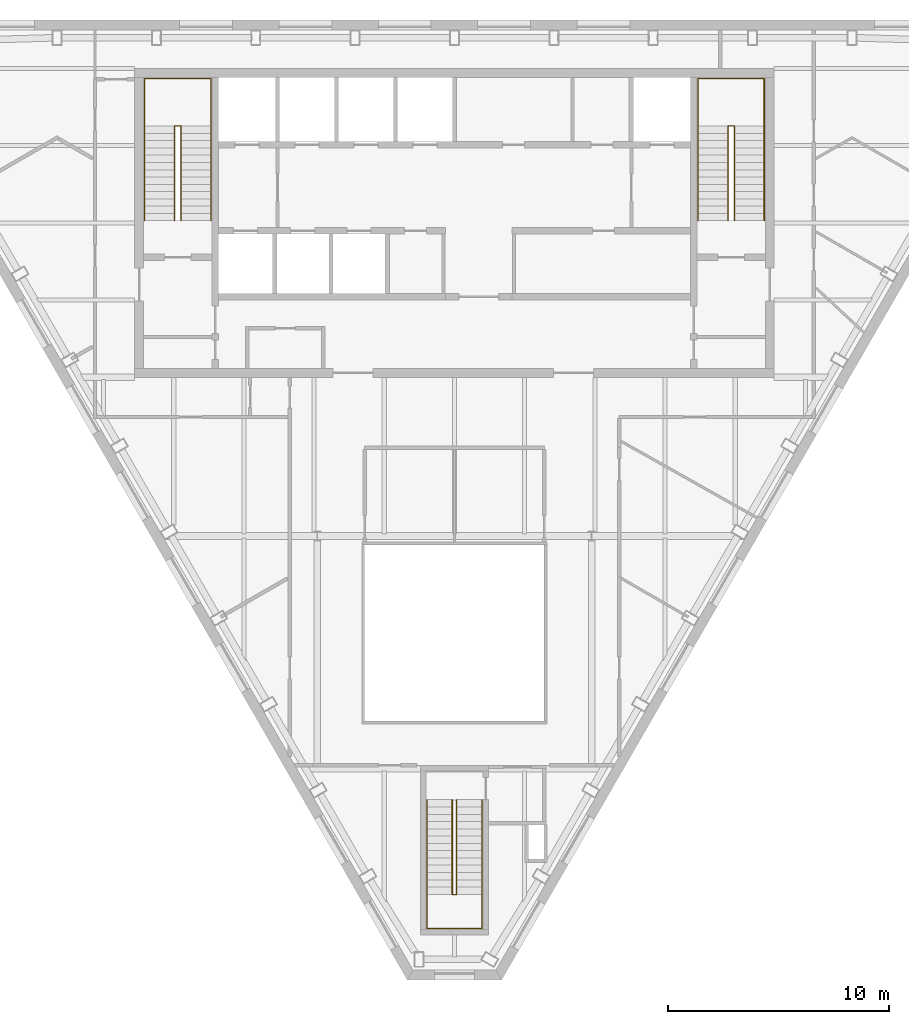
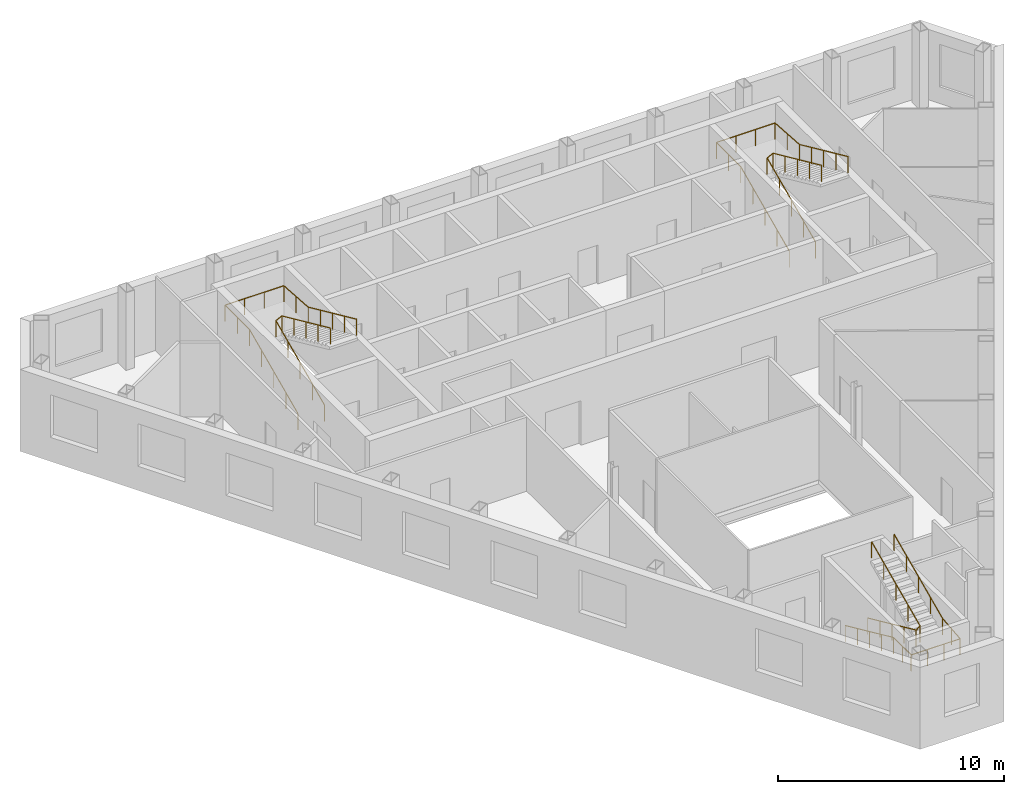
# One storey, part 9 of 9: 6 railings.
"""IFC4 building model written with IfcOpenShell, lengths in metres."""

import ifcopenshell
import ifcopenshell.guid

model = None  # the IFC model being written
_history = None  # IfcOwnerHistory: only IFC2X3 demands one
_inside = {}  # id of a spatial element -> (the spatial element, [elements in it])
_under = {}  # id of a project, library or spatial element -> (it, [spatial elements below it])
_declared = {}  # id of a project -> (the project, [libraries it declares])
_typed = {}  # id of a type object -> (the type object, [elements of that type])
_made_of = {}  # id of a material, layer set ... -> (it, [elements and type objects made of it])


def new_model(schema):
    """Start an empty IFC model of exactly this schema.

    Asked for "IFC4X3", IfcOpenShell would pick the latest addendum, in which some entities
    have other attributes; the version numbers below select the first issue.
    IFC2X3 requires an IfcOwnerHistory on every rooted entity: one is made here for all.
    """
    global model, _history
    if schema == "IFC4X3":
        model = ifcopenshell.file(schema_version=(4, 3, 0, 0))
    else:
        model = ifcopenshell.file(schema=schema)
    _inside.clear()
    _under.clear()
    _declared.clear()
    _typed.clear()
    _made_of.clear()
    _history = None
    if model.schema == "IFC2X3":
        org = make("IfcOrganization", Name="unknown")
        user = make(
            "IfcPersonAndOrganization",
            ThePerson=make("IfcPerson", FamilyName="unknown"),
            TheOrganization=org,
        )
        app = make(
            "IfcApplication",
            ApplicationDeveloper=org,
            Version="unknown",
            ApplicationFullName="unknown",
            ApplicationIdentifier="unknown",
        )
        _history = make(
            "IfcOwnerHistory",
            OwningUser=user,
            OwningApplication=app,
            ChangeAction="ADDED",
            CreationDate=0,
        )
    return model


def make(cls, **values):
    """One entity of the class cls with the attributes given. An attribute that is None is left unset."""
    return model.create_entity(
        cls, **{name: value for name, value in values.items() if value is not None}
    )


def rooted(cls, **values):
    """An entity with a GlobalId (a new one), such as an element, a storey or a relation."""
    return make(cls, GlobalId=ifcopenshell.guid.new(), OwnerHistory=_history, **values)


def si_unit(unit_type, name, prefix=None):
    """IfcSIUnit, for example si_unit("LENGTHUNIT", "METRE", prefix="MILLI")."""
    return make("IfcSIUnit", UnitType=unit_type, Prefix=prefix, Name=name)


def assignment(units):
    """IfcUnitAssignment: the units of a project."""
    return None if units is None else make("IfcUnitAssignment", Units=units)


def point(xyz):
    """IfcCartesianPoint."""
    return None if xyz is None else make("IfcCartesianPoint", Coordinates=xyz)


def direction(xyz):
    """IfcDirection."""
    return None if xyz is None else make("IfcDirection", DirectionRatios=xyz)


def frame(location, z_axis=None, x_axis=None):
    """IfcAxis2Placement3D, a coordinate frame: its origin and axes. An axis left out is left unset."""
    return make(
        "IfcAxis2Placement3D",
        Location=point(location),
        Axis=direction(z_axis),
        RefDirection=direction(x_axis),
    )


def frame_2d(location, x_axis=None):
    """IfcAxis2Placement2D, a coordinate frame in the plane: its origin and x axis."""
    return make(
        "IfcAxis2Placement2D", Location=point(location), RefDirection=direction(x_axis)
    )


def origin():
    """The frame at (0, 0, 0) with its axes left unset."""
    return frame((0.0, 0.0, 0.0))


def origin_2d():
    """The frame at (0, 0) in the plane with its x axis left unset."""
    return frame_2d((0.0, 0.0))


def place(relative_to, where):
    """IfcLocalPlacement: puts the frame where relative to a parent placement (None: the world)."""
    return make(
        "IfcLocalPlacement", PlacementRelTo=relative_to, RelativePlacement=where
    )


def context(
    kind, dimensions, precision=None, world=None, true_north=None, identifier=None
):
    """IfcGeometricRepresentationContext, for example the 3D "Model" context."""
    return make(
        "IfcGeometricRepresentationContext",
        ContextIdentifier=identifier,
        ContextType=kind,
        CoordinateSpaceDimension=dimensions,
        Precision=precision,
        WorldCoordinateSystem=world,
        TrueNorth=true_north,
    )


def subcontext(parent, identifier, kind, view, scale=None):
    """IfcGeometricRepresentationSubContext, for example "Body" below "Model"."""
    return make(
        "IfcGeometricRepresentationSubContext",
        ContextIdentifier=identifier,
        ContextType=kind,
        ParentContext=parent,
        TargetScale=scale,
        TargetView=view,
    )


def project(units=None, contexts=None):
    """IfcProject with its units and contexts."""
    return rooted(
        "IfcProject",
        Name="project",
        RepresentationContexts=contexts,
        UnitsInContext=assignment(units),
    )


def spatial(cls, under=None, at=None, **own):
    """A site, building, storey or space (cls), placed at a placement, below another one or the project."""
    s = rooted(cls, ObjectPlacement=at, **own)
    if under is not None:
        _under.setdefault(under.id(), (under, []))[1].append(s)
    return s


def profile(cls, at=None, kind="AREA", **sizes):
    """A parametric profile (cls). Its sizes go by their IFC names, for example OverallWidth=200.0."""
    return make(cls, ProfileType=kind, Position=at, **sizes)


def circle(**sizes):
    """IfcCircleProfileDef."""
    return profile("IfcCircleProfileDef", **sizes)


def extrude(swept, where, along, depth):
    """IfcExtrudedAreaSolid: the profile swept, set in the frame where, extruded along a direction by depth."""
    return make(
        "IfcExtrudedAreaSolid",
        SweptArea=swept,
        Position=where,
        ExtrudedDirection=direction(along),
        Depth=depth,
    )


def shape(context_of_items, identifier, shape_type, items):
    """IfcShapeRepresentation: the items that make up one representation, for example the "Body"."""
    return make(
        "IfcShapeRepresentation",
        ContextOfItems=context_of_items,
        RepresentationIdentifier=identifier,
        RepresentationType=shape_type,
        Items=items,
    )


def material(Name=None, Category=None):
    """IfcMaterial."""
    return make("IfcMaterial", Name=Name, Category=Category)


def made_of(thing, what):
    """Note that an element or type object is made of a material, layer set ...; save() writes the relation."""
    if what is not None:
        _made_of.setdefault(what.id(), (what, []))[1].append(thing)
    return thing


def type_object(cls, material=None, **own):
    """A type object (cls), such as IfcWallType, which elements share."""
    return made_of(rooted(cls, **own), material)


def element(
    cls,
    number,
    at=None,
    inside=None,
    cuts=None,
    type_object=None,
    material=None,
    context=None,
    identifier="Body",
    shape_type=None,
    held_by="IfcProductDefinitionShape",
    body=None,
    shapes=None,
    **own,
):
    """One element of the class cls, such as IfcWall. Its Tag is "e" and its number.

    at: its placement. inside: the storey or other place that contains it. cuts: it is an
    opening in that element (IfcRelVoidsElement). A single representation is given by context,
    identifier, shape_type and body (its items); several are given by shapes. held_by: the class
    of the entity that holds the representations. save() writes the other relations.
    """
    e = rooted(cls, Tag="e%d" % number, ObjectPlacement=at, **own)
    if body is not None:
        shapes = [shape(context, identifier, shape_type, body)]
    if shapes is not None:
        e.Representation = make(held_by, Representations=shapes)
    if inside is not None:
        _inside.setdefault(inside.id(), (inside, []))[1].append(e)
    if cuts is not None:
        rooted(
            "IfcRelVoidsElement", RelatingBuildingElement=cuts, RelatedOpeningElement=e
        )
    if type_object is not None:
        _typed.setdefault(type_object.id(), (type_object, []))[1].append(e)
    return made_of(e, material)


def aggregate(whole, parts):
    """IfcRelAggregates: a whole, such as a stair, and the parts it consists of."""
    return rooted("IfcRelAggregates", RelatingObject=whole, RelatedObjects=parts)


def save(model, path):
    """Write the relations noted so far, then the file.

    IfcRelAggregates (storeys below a building ...), IfcRelContainedInSpatialStructure (elements
    in a storey), IfcRelDefinesByType, IfcRelAssociatesMaterial and IfcRelDeclares: one each for
    every whole, place, type object, material and project.
    """
    for whole, parts in _under.values():
        aggregate(whole, parts)
    for where, things in _inside.values():
        rooted(
            "IfcRelContainedInSpatialStructure",
            RelatedElements=things,
            RelatingStructure=where,
        )
    for kind, things in _typed.values():
        rooted("IfcRelDefinesByType", RelatedObjects=things, RelatingType=kind)
    for what, things in _made_of.values():
        rooted("IfcRelAssociatesMaterial", RelatedObjects=things, RelatingMaterial=what)
    for by, libraries in _declared.values():
        rooted("IfcRelDeclares", RelatingContext=by, RelatedDefinitions=libraries)
    model.write(path)


model = new_model("IFC4")

# Units and contexts
model_context = context("Model", 3, precision=1e-05, world=origin(), true_north=direction((0.0, 1.0)))
body_context = subcontext(model_context, "Body", "Model", "MODEL_VIEW")
ifc_project = project(units=[si_unit("LENGTHUNIT", "METRE"), si_unit("AREAUNIT", "SQUARE_METRE"), si_unit("VOLUMEUNIT", "CUBIC_METRE"), si_unit("PLANEANGLEUNIT", "RADIAN"), si_unit("MASSUNIT", "GRAM", prefix="KILO")], contexts=[model_context])

# Site, building, storey
site_placement = place(None, origin())
site = spatial("IfcSite", under=ifc_project, at=site_placement, CompositionType="ELEMENT")
building_placement = place(site_placement, origin())
building = spatial("IfcBuilding", under=site, at=building_placement, Name="Njiva Tower", CompositionType="ELEMENT")
storey_placement = place(building_placement, frame((0.0, 0.0, 325.2)))
storey = spatial("IfcBuildingStorey", under=building, at=storey_placement, Name="L74", CompositionType="ELEMENT", Elevation=325.2)

# Railings
ifc_material = material(Name="Stainless steel", Category="steel")
railing_type = type_object("IfcRailingType", Name="RL1 Stair handrail 900", PredefinedType="HANDRAIL", material=ifc_material)
railing_1_placement = place(storey_placement, frame((-14.05, 11.1, 0.15)))
element("IfcRailing", 1, at=railing_1_placement, inside=storey, type_object=railing_type, Name="Stair A handrail", PredefinedType="HANDRAIL", context=body_context, shape_type="SweptSolid", body=[
    extrude(circle(Radius=0.024, at=origin_2d()), frame((0.0, 0.0, 0.876), z_axis=(0.0, 0.910366477463, 0.413802944301), x_axis=(-1.0, 0.0, 0.0)), (0.0, 0.0, 1.0), 4.7124),
    extrude(circle(Radius=0.024, at=origin_2d()), frame((0.0, 4.29, 2.826), z_axis=(0.0, 1.0, 0.0), x_axis=(-1.0, 0.0, 0.0)), (0.0, 0.0, 1.0), 2.16),
    extrude(circle(Radius=0.024, at=origin_2d()), frame((0.0, 6.45, 2.826), z_axis=(1.0, 0.0, 0.0), x_axis=(0.0, 1.0, 0.0)), (0.0, 0.0, 1.0), 3.0),
    extrude(circle(Radius=0.024, at=origin_2d()), frame((3.0, 6.45, 2.826), z_axis=(0.0, -0.997597420968, 0.069277598678), x_axis=(1.0, 0.0, 0.0)), (0.0, 0.0, 1.0), 2.1652),
    extrude(circle(Radius=0.024, at=origin_2d()), frame((3.0, 4.29, 2.976), z_axis=(0.0, -0.910366477463, 0.413802944301), x_axis=(1.0, 0.0, 0.0)), (0.0, 0.0, 1.0), 4.7124),
    extrude(circle(Radius=0.021, at=origin_2d()), origin(), (0.0, 0.0, 1.0), 0.852),
    extrude(circle(Radius=0.021, at=origin_2d()), frame((0.0, 1.0725, 0.4875)), (0.0, 0.0, 1.0), 0.852),
    extrude(circle(Radius=0.021, at=origin_2d()), frame((0.0, 2.145, 0.975)), (0.0, 0.0, 1.0), 0.852),
    extrude(circle(Radius=0.021, at=origin_2d()), frame((0.0, 3.2175, 1.4625)), (0.0, 0.0, 1.0), 0.852),
    extrude(circle(Radius=0.021, at=origin_2d()), frame((0.0, 4.29, 1.95)), (0.0, 0.0, 1.0), 0.852),
    extrude(circle(Radius=0.021, at=origin_2d()), frame((0.0, 5.37, 1.95)), (0.0, 0.0, 1.0), 0.852),
    extrude(circle(Radius=0.021, at=origin_2d()), frame((0.0, 6.45, 1.95)), (0.0, 0.0, 1.0), 0.852),
    extrude(circle(Radius=0.021, at=origin_2d()), frame((1.0, 6.45, 1.95)), (0.0, 0.0, 1.0), 0.852),
    extrude(circle(Radius=0.021, at=origin_2d()), frame((2.0, 6.45, 1.95)), (0.0, 0.0, 1.0), 0.852),
    extrude(circle(Radius=0.021, at=origin_2d()), frame((3.0, 6.45, 1.95)), (0.0, 0.0, 1.0), 0.852),
    extrude(circle(Radius=0.021, at=origin_2d()), frame((3.0, 5.37, 2.025)), (0.0, 0.0, 1.0), 0.852),
    extrude(circle(Radius=0.021, at=origin_2d()), frame((3.0, 4.29, 2.1)), (0.0, 0.0, 1.0), 0.852),
    extrude(circle(Radius=0.021, at=origin_2d()), frame((3.0, 3.2175, 2.5875)), (0.0, 0.0, 1.0), 0.852),
    extrude(circle(Radius=0.021, at=origin_2d()), frame((3.0, 2.145, 3.075)), (0.0, 0.0, 1.0), 0.852),
    extrude(circle(Radius=0.021, at=origin_2d()), frame((3.0, 1.0725, 3.5625)), (0.0, 0.0, 1.0), 0.852),
    extrude(circle(Radius=0.021, at=origin_2d()), frame((3.0, 0.0, 4.05)), (0.0, 0.0, 1.0), 0.852),
])
railing_2_placement = place(storey_placement, frame((-12.7, 11.1, 0.15)))
element("IfcRailing", 2, at=railing_2_placement, inside=storey, type_object=railing_type, Name="Stair A handrail", PredefinedType="HANDRAIL", context=body_context, shape_type="SweptSolid", body=[
    extrude(circle(Radius=0.024, at=origin_2d()), frame((0.0, 0.0, 0.876), z_axis=(0.0, 0.910366477463, 0.413802944301), x_axis=(-1.0, 0.0, 0.0)), (0.0, 0.0, 1.0), 4.7124),
    extrude(circle(Radius=0.024, at=origin_2d()), frame((0.0, 4.29, 2.826), z_axis=(0.894427191, 0.0, 0.4472135955), x_axis=(0.0, 1.0, 0.0)), (0.0, 0.0, 1.0), 0.3354),
    extrude(circle(Radius=0.024, at=origin_2d()), frame((0.3, 4.29, 2.976), z_axis=(0.0, -0.910366477463, 0.413802944301), x_axis=(1.0, 0.0, 0.0)), (0.0, 0.0, 1.0), 4.7124),
    extrude(circle(Radius=0.021, at=origin_2d()), origin(), (0.0, 0.0, 1.0), 0.852),
    extrude(circle(Radius=0.021, at=origin_2d()), frame((0.0, 1.0725, 0.4875)), (0.0, 0.0, 1.0), 0.852),
    extrude(circle(Radius=0.021, at=origin_2d()), frame((0.0, 2.145, 0.975)), (0.0, 0.0, 1.0), 0.852),
    extrude(circle(Radius=0.021, at=origin_2d()), frame((0.0, 3.2175, 1.4625)), (0.0, 0.0, 1.0), 0.852),
    extrude(circle(Radius=0.021, at=origin_2d()), frame((0.0, 4.29, 1.95)), (0.0, 0.0, 1.0), 0.852),
    extrude(circle(Radius=0.021, at=origin_2d()), frame((0.3, 4.29, 2.1)), (0.0, 0.0, 1.0), 0.852),
    extrude(circle(Radius=0.021, at=origin_2d()), frame((0.3, 3.2175, 2.5875)), (0.0, 0.0, 1.0), 0.852),
    extrude(circle(Radius=0.021, at=origin_2d()), frame((0.3, 2.145, 3.075)), (0.0, 0.0, 1.0), 0.852),
    extrude(circle(Radius=0.021, at=origin_2d()), frame((0.3, 1.0725, 3.5625)), (0.0, 0.0, 1.0), 0.852),
    extrude(circle(Radius=0.021, at=origin_2d()), frame((0.3, 0.0, 4.05)), (0.0, 0.0, 1.0), 0.852),
])
railing_3_placement = place(storey_placement, frame((11.05, 11.1, 0.15)))
element("IfcRailing", 3, at=railing_3_placement, inside=storey, type_object=railing_type, Name="Stair B handrail", PredefinedType="HANDRAIL", context=body_context, shape_type="SweptSolid", body=[
    extrude(circle(Radius=0.024, at=origin_2d()), frame((0.0, 0.0, 0.876), z_axis=(0.0, 0.910366477463, 0.413802944301), x_axis=(-1.0, 0.0, 0.0)), (0.0, 0.0, 1.0), 4.7124),
    extrude(circle(Radius=0.024, at=origin_2d()), frame((0.0, 4.29, 2.826), z_axis=(0.0, 1.0, 0.0), x_axis=(-1.0, 0.0, 0.0)), (0.0, 0.0, 1.0), 2.16),
    extrude(circle(Radius=0.024, at=origin_2d()), frame((0.0, 6.45, 2.826), z_axis=(1.0, 0.0, 0.0), x_axis=(0.0, 1.0, 0.0)), (0.0, 0.0, 1.0), 3.0),
    extrude(circle(Radius=0.024, at=origin_2d()), frame((3.0, 6.45, 2.826), z_axis=(0.0, -0.997597420968, 0.069277598678), x_axis=(1.0, 0.0, 0.0)), (0.0, 0.0, 1.0), 2.1652),
    extrude(circle(Radius=0.024, at=origin_2d()), frame((3.0, 4.29, 2.976), z_axis=(0.0, -0.910366477463, 0.413802944301), x_axis=(1.0, 0.0, 0.0)), (0.0, 0.0, 1.0), 4.7124),
    extrude(circle(Radius=0.021, at=origin_2d()), origin(), (0.0, 0.0, 1.0), 0.852),
    extrude(circle(Radius=0.021, at=origin_2d()), frame((0.0, 1.0725, 0.4875)), (0.0, 0.0, 1.0), 0.852),
    extrude(circle(Radius=0.021, at=origin_2d()), frame((0.0, 2.145, 0.975)), (0.0, 0.0, 1.0), 0.852),
    extrude(circle(Radius=0.021, at=origin_2d()), frame((0.0, 3.2175, 1.4625)), (0.0, 0.0, 1.0), 0.852),
    extrude(circle(Radius=0.021, at=origin_2d()), frame((0.0, 4.29, 1.95)), (0.0, 0.0, 1.0), 0.852),
    extrude(circle(Radius=0.021, at=origin_2d()), frame((0.0, 5.37, 1.95)), (0.0, 0.0, 1.0), 0.852),
    extrude(circle(Radius=0.021, at=origin_2d()), frame((0.0, 6.45, 1.95)), (0.0, 0.0, 1.0), 0.852),
    extrude(circle(Radius=0.021, at=origin_2d()), frame((1.0, 6.45, 1.95)), (0.0, 0.0, 1.0), 0.852),
    extrude(circle(Radius=0.021, at=origin_2d()), frame((2.0, 6.45, 1.95)), (0.0, 0.0, 1.0), 0.852),
    extrude(circle(Radius=0.021, at=origin_2d()), frame((3.0, 6.45, 1.95)), (0.0, 0.0, 1.0), 0.852),
    extrude(circle(Radius=0.021, at=origin_2d()), frame((3.0, 5.37, 2.025)), (0.0, 0.0, 1.0), 0.852),
    extrude(circle(Radius=0.021, at=origin_2d()), frame((3.0, 4.29, 2.1)), (0.0, 0.0, 1.0), 0.852),
    extrude(circle(Radius=0.021, at=origin_2d()), frame((3.0, 3.2175, 2.5875)), (0.0, 0.0, 1.0), 0.852),
    extrude(circle(Radius=0.021, at=origin_2d()), frame((3.0, 2.145, 3.075)), (0.0, 0.0, 1.0), 0.852),
    extrude(circle(Radius=0.021, at=origin_2d()), frame((3.0, 1.0725, 3.5625)), (0.0, 0.0, 1.0), 0.852),
    extrude(circle(Radius=0.021, at=origin_2d()), frame((3.0, 0.0, 4.05)), (0.0, 0.0, 1.0), 0.852),
])
railing_4_placement = place(storey_placement, frame((12.4, 11.1, 0.15)))
element("IfcRailing", 4, at=railing_4_placement, inside=storey, type_object=railing_type, Name="Stair B handrail", PredefinedType="HANDRAIL", context=body_context, shape_type="SweptSolid", body=[
    extrude(circle(Radius=0.024, at=origin_2d()), frame((0.0, 0.0, 0.876), z_axis=(0.0, 0.910366477463, 0.413802944301), x_axis=(-1.0, 0.0, 0.0)), (0.0, 0.0, 1.0), 4.7124),
    extrude(circle(Radius=0.024, at=origin_2d()), frame((0.0, 4.29, 2.826), z_axis=(0.894427191, 0.0, 0.4472135955), x_axis=(0.0, 1.0, 0.0)), (0.0, 0.0, 1.0), 0.3354),
    extrude(circle(Radius=0.024, at=origin_2d()), frame((0.3, 4.29, 2.976), z_axis=(0.0, -0.910366477463, 0.413802944301), x_axis=(1.0, 0.0, 0.0)), (0.0, 0.0, 1.0), 4.7124),
    extrude(circle(Radius=0.021, at=origin_2d()), origin(), (0.0, 0.0, 1.0), 0.852),
    extrude(circle(Radius=0.021, at=origin_2d()), frame((0.0, 1.0725, 0.4875)), (0.0, 0.0, 1.0), 0.852),
    extrude(circle(Radius=0.021, at=origin_2d()), frame((0.0, 2.145, 0.975)), (0.0, 0.0, 1.0), 0.852),
    extrude(circle(Radius=0.021, at=origin_2d()), frame((0.0, 3.2175, 1.4625)), (0.0, 0.0, 1.0), 0.852),
    extrude(circle(Radius=0.021, at=origin_2d()), frame((0.0, 4.29, 1.95)), (0.0, 0.0, 1.0), 0.852),
    extrude(circle(Radius=0.021, at=origin_2d()), frame((0.3, 4.29, 2.1)), (0.0, 0.0, 1.0), 0.852),
    extrude(circle(Radius=0.021, at=origin_2d()), frame((0.3, 3.2175, 2.5875)), (0.0, 0.0, 1.0), 0.852),
    extrude(circle(Radius=0.021, at=origin_2d()), frame((0.3, 2.145, 3.075)), (0.0, 0.0, 1.0), 0.852),
    extrude(circle(Radius=0.021, at=origin_2d()), frame((0.3, 1.0725, 3.5625)), (0.0, 0.0, 1.0), 0.852),
    extrude(circle(Radius=0.021, at=origin_2d()), frame((0.3, 0.0, 4.05)), (0.0, 0.0, 1.0), 0.852),
])
railing_5_placement = place(storey_placement, frame((-1.25, -15.16, 0.15)))
element("IfcRailing", 5, at=railing_5_placement, inside=storey, type_object=railing_type, Name="Stair C handrail", PredefinedType="HANDRAIL", context=body_context, shape_type="SweptSolid", body=[
    extrude(circle(Radius=0.024, at=origin_2d()), frame((0.0, 0.0, 0.876), z_axis=(0.0, -0.910366477463, 0.413802944301), x_axis=(1.0, 0.0, 0.0)), (0.0, 0.0, 1.0), 4.7124),
    extrude(circle(Radius=0.024, at=origin_2d()), frame((0.0, -4.29, 2.826), z_axis=(0.0, -1.0, 0.0), x_axis=(1.0, 0.0, 0.0)), (0.0, 0.0, 1.0), 1.55),
    extrude(circle(Radius=0.024, at=origin_2d()), frame((0.0, -5.84, 2.826), z_axis=(1.0, 0.0, 0.0), x_axis=(0.0, 1.0, 0.0)), (0.0, 0.0, 1.0), 2.5),
    extrude(circle(Radius=0.024, at=origin_2d()), frame((2.5, -5.84, 2.826), z_axis=(0.0, 0.995350013555, 0.09632419486), x_axis=(-1.0, 0.0, 0.0)), (0.0, 0.0, 1.0), 1.5572),
    extrude(circle(Radius=0.024, at=origin_2d()), frame((2.5, -4.29, 2.976), z_axis=(0.0, 0.910366477463, 0.413802944301), x_axis=(-1.0, 0.0, 0.0)), (0.0, 0.0, 1.0), 4.7124),
    extrude(circle(Radius=0.021, at=origin_2d()), origin(), (0.0, 0.0, 1.0), 0.852),
    extrude(circle(Radius=0.021, at=origin_2d()), frame((0.0, -1.0725, 0.4875)), (0.0, 0.0, 1.0), 0.852),
    extrude(circle(Radius=0.021, at=origin_2d()), frame((0.0, -2.145, 0.975)), (0.0, 0.0, 1.0), 0.852),
    extrude(circle(Radius=0.021, at=origin_2d()), frame((0.0, -3.2175, 1.4625)), (0.0, 0.0, 1.0), 0.852),
    extrude(circle(Radius=0.021, at=origin_2d()), frame((0.0, -4.29, 1.95)), (0.0, 0.0, 1.0), 0.852),
    extrude(circle(Radius=0.021, at=origin_2d()), frame((0.0, -5.065, 1.95)), (0.0, 0.0, 1.0), 0.852),
    extrude(circle(Radius=0.021, at=origin_2d()), frame((0.0, -5.84, 1.95)), (0.0, 0.0, 1.0), 0.852),
    extrude(circle(Radius=0.021, at=origin_2d()), frame((0.8333, -5.84, 1.95)), (0.0, 0.0, 1.0), 0.852),
    extrude(circle(Radius=0.021, at=origin_2d()), frame((1.6667, -5.84, 1.95)), (0.0, 0.0, 1.0), 0.852),
    extrude(circle(Radius=0.021, at=origin_2d()), frame((2.5, -5.84, 1.95)), (0.0, 0.0, 1.0), 0.852),
    extrude(circle(Radius=0.021, at=origin_2d()), frame((2.5, -5.065, 2.025)), (0.0, 0.0, 1.0), 0.852),
    extrude(circle(Radius=0.021, at=origin_2d()), frame((2.5, -4.29, 2.1)), (0.0, 0.0, 1.0), 0.852),
    extrude(circle(Radius=0.021, at=origin_2d()), frame((2.5, -3.2175, 2.5875)), (0.0, 0.0, 1.0), 0.852),
    extrude(circle(Radius=0.021, at=origin_2d()), frame((2.5, -2.145, 3.075)), (0.0, 0.0, 1.0), 0.852),
    extrude(circle(Radius=0.021, at=origin_2d()), frame((2.5, -1.0725, 3.5625)), (0.0, 0.0, 1.0), 0.852),
    extrude(circle(Radius=0.021, at=origin_2d()), frame((2.5, 0.0, 4.05)), (0.0, 0.0, 1.0), 0.852),
])
railing_6_placement = place(storey_placement, frame((-0.1, -15.16, 0.15)))
element("IfcRailing", 6, at=railing_6_placement, inside=storey, type_object=railing_type, Name="Stair C handrail", PredefinedType="HANDRAIL", context=body_context, shape_type="SweptSolid", body=[
    extrude(circle(Radius=0.024, at=origin_2d()), frame((0.0, 0.0, 0.876), z_axis=(0.0, -0.910366477463, 0.413802944301), x_axis=(1.0, 0.0, 0.0)), (0.0, 0.0, 1.0), 4.7124),
    extrude(circle(Radius=0.024, at=origin_2d()), frame((0.0, -4.29, 2.826), z_axis=(0.8, 0.0, 0.6), x_axis=(0.0, 1.0, 0.0)), (0.0, 0.0, 1.0), 0.25),
    extrude(circle(Radius=0.024, at=origin_2d()), frame((0.2, -4.29, 2.976), z_axis=(0.0, 0.910366477463, 0.413802944301), x_axis=(-1.0, 0.0, 0.0)), (0.0, 0.0, 1.0), 4.7124),
    extrude(circle(Radius=0.021, at=origin_2d()), origin(), (0.0, 0.0, 1.0), 0.852),
    extrude(circle(Radius=0.021, at=origin_2d()), frame((0.0, -1.0725, 0.4875)), (0.0, 0.0, 1.0), 0.852),
    extrude(circle(Radius=0.021, at=origin_2d()), frame((0.0, -2.145, 0.975)), (0.0, 0.0, 1.0), 0.852),
    extrude(circle(Radius=0.021, at=origin_2d()), frame((0.0, -3.2175, 1.4625)), (0.0, 0.0, 1.0), 0.852),
    extrude(circle(Radius=0.021, at=origin_2d()), frame((0.0, -4.29, 1.95)), (0.0, 0.0, 1.0), 0.852),
    extrude(circle(Radius=0.021, at=origin_2d()), frame((0.2, -4.29, 2.1)), (0.0, 0.0, 1.0), 0.852),
    extrude(circle(Radius=0.021, at=origin_2d()), frame((0.2, -3.2175, 2.5875)), (0.0, 0.0, 1.0), 0.852),
    extrude(circle(Radius=0.021, at=origin_2d()), frame((0.2, -2.145, 3.075)), (0.0, 0.0, 1.0), 0.852),
    extrude(circle(Radius=0.021, at=origin_2d()), frame((0.2, -1.0725, 3.5625)), (0.0, 0.0, 1.0), 0.852),
    extrude(circle(Radius=0.021, at=origin_2d()), frame((0.2, 0.0, 4.05)), (0.0, 0.0, 1.0), 0.852),
])

save(model, "model.ifc")
